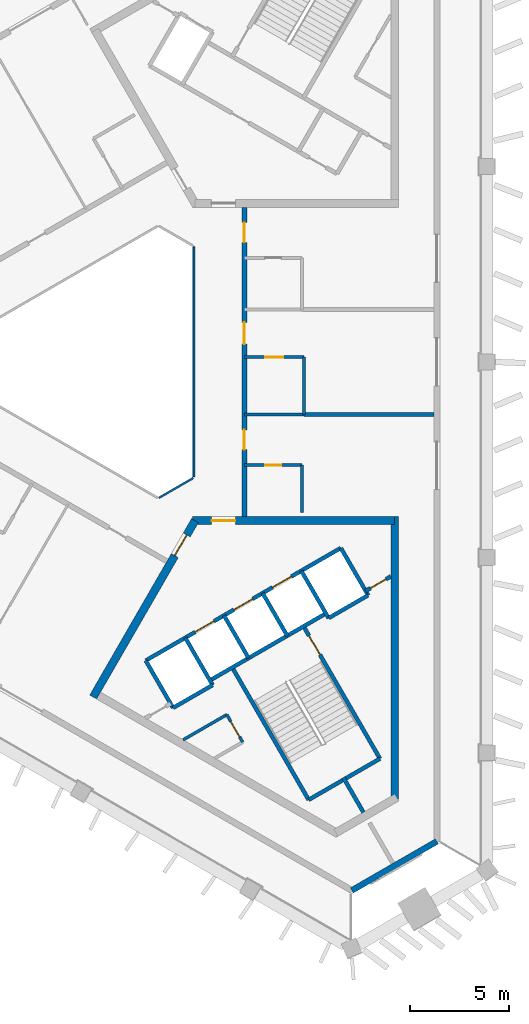
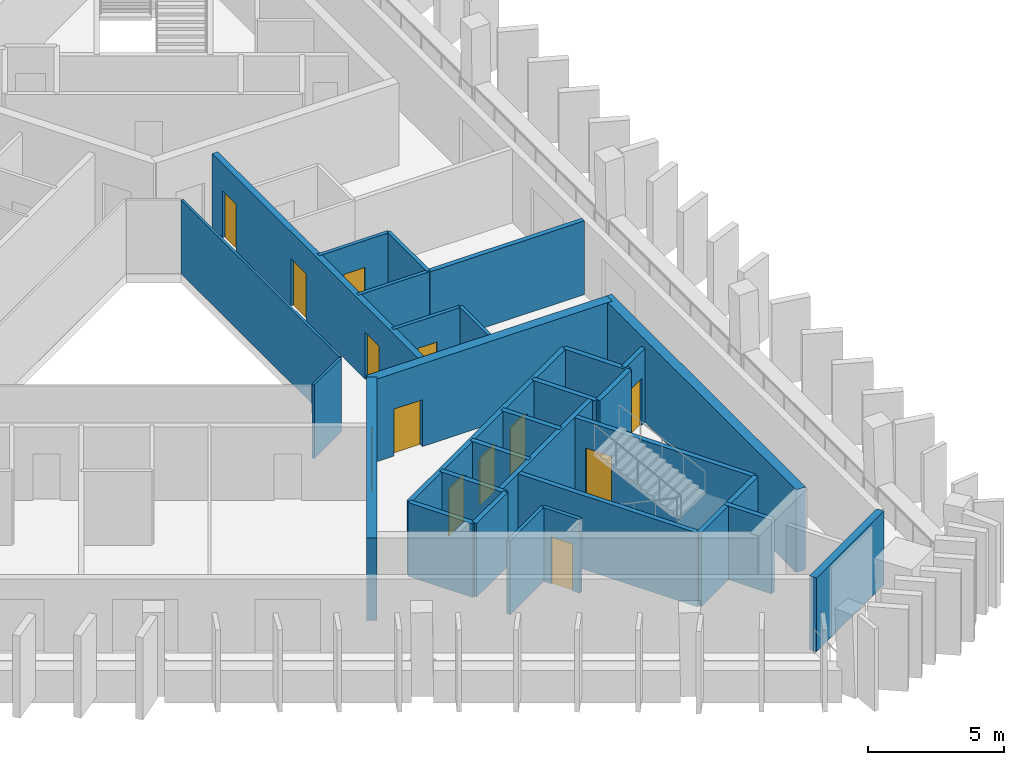
# One storey, part 3 of 9: 30 walls, 13 doors, 13 openings.
"""IFC4 building model written with IfcOpenShell, lengths in metres."""

from ifc_helpers import new_model, si_unit, direction, frame, frame_2d, origin, place, context, subcontext, project, spatial, rectangle, extrude, material, layer, layer_set, type_object, element, fill, save


model = new_model("IFC4")

# Units and contexts
model_context = context("Model", 3, precision=1e-05, world=origin(), true_north=direction((0.0, 1.0)))
body_context = subcontext(model_context, "Body", "Model", "MODEL_VIEW")
ifc_project = project(units=[si_unit("LENGTHUNIT", "METRE"), si_unit("AREAUNIT", "SQUARE_METRE"), si_unit("VOLUMEUNIT", "CUBIC_METRE"), si_unit("PLANEANGLEUNIT", "RADIAN"), si_unit("MASSUNIT", "GRAM", prefix="KILO")], contexts=[model_context])

# Site, building, storey
site_placement = place(None, origin())
site = spatial("IfcSite", under=ifc_project, at=site_placement, CompositionType="ELEMENT")
building_placement = place(site_placement, origin())
building = spatial("IfcBuilding", under=site, at=building_placement, Name="Jabali Bay Hotel Tower and Convention Centre", CompositionType="ELEMENT")
storey_placement = place(building_placement, frame((0.0, 0.0, 262.699951171875)))
storey = spatial("IfcBuildingStorey", under=building, at=storey_placement, Name="L64", CompositionType="ELEMENT", Elevation=262.699951171875)

# Walls
ifc_material_1 = material(Name="Fire-resistant glazing", Category="glass")
ifc_layer_1 = layer(ifc_material_1, 0.10009765625)
ifc_layer_set_1 = layer_set([ifc_layer_1], Name="Fire-resistant glazing")
wall_type_1 = type_object("IfcWallType", Name="Atrium glazed screen 100", PredefinedType="PARTITIONING", material=ifc_layer_set_1)
wall_1_placement = place(storey_placement, frame((79.56005859375, 74.205810546875, 0.0), z_axis=(0.0, 0.0, 1.0), x_axis=(0.0, 1.0, 0.0)))
element("IfcWall", 1, at=wall_1_placement, inside=storey, type_object=wall_type_1, Name="Atrium screen 1 L64", PredefinedType="PARTITIONING", context=body_context, shape_type="SweptSolid", body=[
    extrude(rectangle(XDim=11.58837890625, YDim=0.10009765625, at=frame_2d((5.794189453125, 0.0))), origin(), (0.0, 0.0, 1.0), 3.300048828125),
])
wall_2_placement = place(storey_placement, frame((77.7978515625, 73.15380859375, 0.0), z_axis=(0.0, 0.0, 1.0), x_axis=(0.866041268327, 0.499972520799, 0.0)))
element("IfcWall", 2, at=wall_2_placement, inside=storey, type_object=wall_type_1, Name="Atrium screen 6 L64", PredefinedType="PARTITIONING", context=body_context, shape_type="SweptSolid", body=[
    extrude(rectangle(XDim=2.0, YDim=0.10009765625, at=frame_2d((1.0, 0.0))), origin(), (0.0, 0.0, 1.0), 3.300048828125),
])
ifc_material_2 = material(Name="Concrete C40", Category="concrete")
ifc_layer_2 = layer(ifc_material_2, 0.199951171875)
ifc_layer_set_2 = layer_set([ifc_layer_2], Name="Concrete C40")
wall_type_2 = type_object("IfcWallType", Name="Core partition wall 200", PredefinedType="PARTITIONING", material=ifc_layer_set_2)
wall_3_placement = place(storey_placement, frame((87.090087890625, 59.0595703125, 0.0), z_axis=(0.0, 0.0, 1.0), x_axis=(0.499941815747, -0.866058993873, 0.0)))
element("IfcWall", 3, at=wall_3_placement, inside=storey, type_object=wall_type_2, Name="Core wall 2.5 L64", PredefinedType="PARTITIONING", context=body_context, shape_type="SweptSolid", body=[
    extrude(rectangle(XDim=2.023193359375, YDim=0.199951171875, at=frame_2d((1.01171875, 0.0))), origin(), (0.0, 0.0, 1.0), 3.300048828125),
])

# Wall, opening, door
wall_4_placement = place(storey_placement, frame((88.214599609375, 68.46142578125, 0.0), z_axis=(0.0, 0.0, 1.0), x_axis=(0.865982457891, 0.500074377092, 0.0)))
wall_4 = element("IfcWall", 4, at=wall_4_placement, inside=storey, type_object=wall_type_2, Name="Core wall 2.13 L64", PredefinedType="PARTITIONING", context=body_context, shape_type="SweptSolid", body=[
    extrude(rectangle(XDim=1.461181640625, YDim=0.199951171875, at=frame_2d((0.73046875, 0.0))), origin(), (0.0, 0.0, 1.0), 3.300048828125),
])
opening_1_placement = place(wall_4_placement, frame((0.280517578125, 0.0, 0.0)))
opening_1 = element("IfcOpeningElement", 5, at=opening_1_placement, cuts=wall_4, Name="Opening D1418", PredefinedType="OPENING", context=body_context, shape_type="SweptSolid", body=[
    extrude(rectangle(XDim=0.89990234375, YDim=2.10009765625, at=frame_2d((0.449951171875, 1.050048828125))), frame((0.0, 0.1103515625, 0.0), z_axis=(0.0, -1.0, 0.0), x_axis=(1.0, 0.0, 0.0)), (0.0, 0.0, 1.0), 0.220947265625),
])
ifc_material_3 = material(Name="Fire-rated steel door", Category="steel")
door_type_1 = type_object("IfcDoorType", Name="Vestibule fire door 900 x 2100", OperationType="NOTDEFINED", PredefinedType="NOTDEFINED", material=ifc_material_3)
door_1_placement = place(opening_1_placement, origin())
door_1 = element("IfcDoor", 6, at=door_1_placement, inside=storey, type_object=door_type_1, Name="Vestibule fire door D1418", OperationType="SINGLE_SWING_LEFT", OverallHeight=2.10009765625, OverallWidth=0.89990234375, PredefinedType="NOTDEFINED", context=body_context, shape_type="SweptSolid", body=[
    extrude(rectangle(XDim=0.89990234375, YDim=2.10009765625, at=frame_2d((0.449951171875, 1.050048828125))), frame((0.0, 0.02490234375, 0.0), z_axis=(0.0, -1.0, 0.0), x_axis=(1.0, 0.0, 0.0)), (0.0, 0.0, 1.0), 0.050048828125),
])
fill(opening_1, door_1)

ifc_material_4 = material(Name="Fire-rated board partition")
ifc_layer_3 = layer(ifc_material_4, 0.14990234375)
ifc_layer_set_3 = layer_set([ifc_layer_3], Name="Fire-rated board partition")
wall_type_3 = type_object("IfcWallType", Name="Core room partition 150", PredefinedType="PARTITIONING", material=ifc_layer_set_3)
wall_5_placement = place(storey_placement, frame((81.218994140625, 62.228515625, 0.0), z_axis=(0.0, 0.0, 1.0), x_axis=(0.499880961361, -0.866094119867, 0.0)))
wall_5 = element("IfcWall", 7, at=wall_5_placement, inside=storey, type_object=wall_type_3, Name="Core wall 2.1 L64", PredefinedType="PARTITIONING", context=body_context, shape_type="SweptSolid", body=[
    extrude(rectangle(XDim=1.60009765625, YDim=0.14990234375, at=frame_2d((0.800048828125, 0.0))), origin(), (0.0, 0.0, 1.0), 3.300048828125),
])
opening_2_placement = place(wall_5_placement, frame((0.387451171875, 0.0, 0.0)))
opening_2 = element("IfcOpeningElement", 8, at=opening_2_placement, cuts=wall_5, Name="Opening D1421", PredefinedType="OPENING", context=body_context, shape_type="SweptSolid", body=[
    extrude(rectangle(XDim=0.89990234375, YDim=2.10009765625, at=frame_2d((0.449951171875, 1.050048828125))), frame((0.0, 0.08544921875, 0.0), z_axis=(0.0, -1.0, 0.0), x_axis=(1.0, 0.0, 0.0)), (0.0, 0.0, 1.0), 0.1708984375),
])
door_type_2 = type_object("IfcDoorType", Name="Core room door 900 x 2100", OperationType="NOTDEFINED", PredefinedType="NOTDEFINED", material=ifc_material_3)
door_2_placement = place(opening_2_placement, origin())
door_2 = element("IfcDoor", 9, at=door_2_placement, inside=storey, type_object=door_type_2, Name="Core room door D1421", OperationType="SINGLE_SWING_LEFT", OverallHeight=2.10009765625, OverallWidth=0.89990234375, PredefinedType="NOTDEFINED", context=body_context, shape_type="SweptSolid", body=[
    extrude(rectangle(XDim=0.89990234375, YDim=2.10009765625, at=frame_2d((0.449951171875, 1.050048828125))), frame((0.0, 0.02490234375, 0.0), z_axis=(0.0, -1.0, 0.0), x_axis=(1.0, 0.0, 0.0)), (0.0, 0.0, 1.0), 0.050048828125),
])
fill(opening_2, door_2)

# Walls
wall_6_placement = place(storey_placement, frame((79.02001953125, 60.958984375, 0.0), z_axis=(0.0, 0.0, 1.0), x_axis=(0.866033475577, 0.499986018985, 0.0)))
element("IfcWall", 10, at=wall_6_placement, inside=storey, type_object=wall_type_3, Name="Core wall 2.16 L64", PredefinedType="PARTITIONING", context=body_context, shape_type="SweptSolid", body=[
    extrude(rectangle(XDim=2.5390625, YDim=0.14990234375, at=frame_2d((1.26953125, 0.0))), origin(), (0.0, 0.0, 1.0), 3.300048828125),
])
ifc_layer_4 = layer(ifc_material_2, 0.199951171875)
ifc_layer_set_4 = layer_set([ifc_layer_4], Name="Concrete C40")
wall_type_4 = type_object("IfcWallType", Name="Core stair wall 200", PredefinedType="SOLIDWALL", material=ifc_layer_set_4)
for number, where, z_axis, x_axis, name in (
    (11, (77.13525390625, 64.95166015625, 0.0), (0.0, 0.0, 1.0), (0.499996545922, -0.866027397988, 0.0), "Core wall 2.0 L64"),
    (12, (79.127197265625, 66.1015625, 0.0), (0.0, 0.0, 1.0), (0.499996545922, -0.866027397988, 0.0), "Core wall 2.2 L64"),
):
    element("IfcWall", number, at=place(storey_placement, frame(where, z_axis=z_axis, x_axis=x_axis)), inside=storey, type_object=wall_type_4, Name=name, PredefinedType="SOLIDWALL", context=body_context, shape_type="SweptSolid", body=[
        extrude(rectangle(XDim=2.75, YDim=0.199951171875, at=frame_2d((1.375, 0.0))), origin(), (0.0, 0.0, 1.0), 3.300048828125),
    ])
wall_7_placement = place(storey_placement, frame((81.492919921875, 64.603759765625, 0.0), z_axis=(0.0, 0.0, 1.0), x_axis=(0.500006057782, -0.866021906294, 0.0)))
element("IfcWall", 13, at=wall_7_placement, inside=storey, type_object=wall_type_4, Name="Core wall 2.3 L64", PredefinedType="SOLIDWALL", context=body_context, shape_type="SweptSolid", body=[
    extrude(rectangle(XDim=7.7001953125, YDim=0.199951171875, at=frame_2d((3.85009765625, 0.0))), origin(), (0.0, 0.0, 1.0), 3.300048828125),
])
for number, where, z_axis, x_axis, name in (
    (14, (81.07568359375, 67.2265625, 0.0), (0.0, 0.0, 1.0), (0.50000366821, -0.866023285932, 0.0), "Core wall 2.4 L64"),
    (15, (83.024169921875, 68.3515625, 0.0), (0.0, 0.0, 1.0), (0.50000366821, -0.866023285932, 0.0), "Core wall 2.6 L64"),
):
    element("IfcWall", number, at=place(storey_placement, frame(where, z_axis=z_axis, x_axis=x_axis)), inside=storey, type_object=wall_type_4, Name=name, PredefinedType="SOLIDWALL", context=body_context, shape_type="SweptSolid", body=[
        extrude(rectangle(XDim=2.47998046875, YDim=0.199951171875, at=frame_2d((1.239990234375, 0.0))), origin(), (0.0, 0.0, 1.0), 3.300048828125),
    ])

# Wall, opening, door
wall_8_placement = place(storey_placement, frame((85.0869140625, 66.6787109375, 0.0), z_axis=(0.0, 0.0, 1.0), x_axis=(0.500019787375, -0.866013979237, 0.0)))
wall_8 = element("IfcWall", 16, at=wall_8_placement, inside=storey, type_object=wall_type_4, Name="Core wall 2.7 L64", PredefinedType="SOLIDWALL", context=body_context, shape_type="SweptSolid", body=[
    extrude(rectangle(XDim=7.699951171875, YDim=0.199951171875, at=frame_2d((3.85009765625, 0.0))), origin(), (0.0, 0.0, 1.0), 3.300048828125),
])
opening_3_placement = place(wall_8_placement, frame((0.550048828125, 0.0, 0.0)))
opening_3 = element("IfcOpeningElement", 17, at=opening_3_placement, cuts=wall_8, Name="Opening D1420", PredefinedType="OPENING", context=body_context, shape_type="SweptSolid", body=[
    extrude(rectangle(XDim=1.10009765625, YDim=2.10009765625, at=frame_2d((0.550048828125, 1.050048828125))), frame((0.0, 0.1103515625, 0.0), z_axis=(0.0, -1.0, 0.0), x_axis=(1.0, 0.0, 0.0)), (0.0, 0.0, 1.0), 0.220947265625),
])
door_type_3 = type_object("IfcDoorType", Name="Stair fire door 1100 x 2100", OperationType="NOTDEFINED", PredefinedType="NOTDEFINED", material=ifc_material_3)
door_3_placement = place(opening_3_placement, origin())
door_3 = element("IfcDoor", 18, at=door_3_placement, inside=storey, type_object=door_type_3, Name="Stair fire door D1420", OperationType="SINGLE_SWING_RIGHT", OverallHeight=2.10009765625, OverallWidth=1.10009765625, PredefinedType="NOTDEFINED", context=body_context, shape_type="SweptSolid", body=[
    extrude(rectangle(XDim=1.10009765625, YDim=2.10009765625, at=frame_2d((0.550048828125, 1.050048828125))), frame((0.0, 0.02490234375, 0.0), z_axis=(0.0, -1.0, 0.0), x_axis=(1.0, 0.0, 0.0)), (0.0, 0.0, 1.0), 0.050048828125),
])
fill(opening_3, door_3)

# Walls
for number, where, z_axis, x_axis, name in (
    (19, (84.972900390625, 69.4765625, 0.0), (0.0, 0.0, 1.0), (0.499996545922, -0.866027397988, 0.0), "Core wall 2.8 L64"),
    (20, (86.964599609375, 70.62646484375, 0.0), (0.0, 0.0, 1.0), (0.499996545922, -0.866027397988, 0.0), "Core wall 2.9 L64"),
):
    element("IfcWall", number, at=place(storey_placement, frame(where, z_axis=z_axis, x_axis=x_axis)), inside=storey, type_object=wall_type_4, Name=name, PredefinedType="SOLIDWALL", context=body_context, shape_type="SweptSolid", body=[
        extrude(rectangle(XDim=2.75, YDim=0.199951171875, at=frame_2d((1.375, 0.0))), origin(), (0.0, 0.0, 1.0), 3.300048828125),
    ])

# Wall, openings, doors
wall_9_placement = place(storey_placement, frame((77.13525390625, 64.95166015625, 0.0), z_axis=(0.0, 0.0, 1.0), x_axis=(0.866031916153, 0.499988720078, 0.0)))
wall_9 = element("IfcWall", 21, at=wall_9_placement, inside=storey, type_object=wall_type_4, Name="Core wall 2.10 L64", PredefinedType="SOLIDWALL", context=body_context, shape_type="SweptSolid", body=[
    extrude(rectangle(XDim=11.349853515625, YDim=0.199951171875, at=frame_2d((5.6748046875, 0.0))), origin(), (0.0, 0.0, 1.0), 3.300048828125),
])
opening_4_placement = place(wall_9_placement, frame((2.875, 0.0, 0.0)))
opening_4 = element("IfcOpeningElement", 22, at=opening_4_placement, cuts=wall_9, Name="Opening LD12-L64", PredefinedType="OPENING", context=body_context, shape_type="SweptSolid", body=[
    extrude(rectangle(XDim=1.10009765625, YDim=2.10009765625, at=frame_2d((0.550048828125, 1.050048828125))), frame((0.0, 0.1103515625, 0.0), z_axis=(0.0, -1.0, 0.0), x_axis=(1.0, 0.0, 0.0)), (0.0, 0.0, 1.0), 0.220947265625),
])
opening_5_placement = place(wall_9_placement, frame((5.125, 0.0, 0.0)))
opening_5 = element("IfcOpeningElement", 23, at=opening_5_placement, cuts=wall_9, Name="Opening LD13-L64", PredefinedType="OPENING", context=body_context, shape_type="SweptSolid", body=[
    extrude(rectangle(XDim=1.10009765625, YDim=2.10009765625, at=frame_2d((0.550048828125, 1.050048828125))), frame((0.0, 0.1103515625, 0.0), z_axis=(0.0, -1.0, 0.0), x_axis=(1.0, 0.0, 0.0)), (0.0, 0.0, 1.0), 0.220947265625),
])
opening_6_placement = place(wall_9_placement, frame((7.375, 0.0, 0.0)))
opening_6 = element("IfcOpeningElement", 24, at=opening_6_placement, cuts=wall_9, Name="Opening LD14-L64", PredefinedType="OPENING", context=body_context, shape_type="SweptSolid", body=[
    extrude(rectangle(XDim=1.10009765625, YDim=2.10009765625, at=frame_2d((0.550048828125, 1.050048828125))), frame((0.0, 0.1103515625, 0.0), z_axis=(0.0, -1.0, 0.0), x_axis=(1.0, 0.0, 0.0)), (0.0, 0.0, 1.0), 0.220947265625),
])
ifc_material_5 = material(Name="Stainless steel landing door", Category="steel")
door_type_4 = type_object("IfcDoorType", Name="Landing door 1100 x 2100", OperationType="NOTDEFINED", PredefinedType="NOTDEFINED", material=ifc_material_5)
door_4_placement = place(opening_4_placement, origin())
door_4 = element("IfcDoor", 25, at=door_4_placement, inside=storey, type_object=door_type_4, Name="Landing doors LD12-L64", OperationType="SLIDING_TO_LEFT", OverallHeight=2.10009765625, OverallWidth=1.10009765625, PredefinedType="NOTDEFINED", context=body_context, shape_type="SweptSolid", body=[
    extrude(rectangle(XDim=1.10009765625, YDim=2.10009765625, at=frame_2d((0.550048828125, 1.050048828125))), frame((0.0, 0.02490234375, 0.0), z_axis=(0.0, -1.0, 0.0), x_axis=(1.0, 0.0, 0.0)), (0.0, 0.0, 1.0), 0.050048828125),
])
fill(opening_4, door_4)
door_5_placement = place(opening_5_placement, origin())
door_5 = element("IfcDoor", 26, at=door_5_placement, inside=storey, type_object=door_type_4, Name="Landing doors LD13-L64", OperationType="SLIDING_TO_RIGHT", OverallHeight=2.10009765625, OverallWidth=1.10009765625, PredefinedType="NOTDEFINED", context=body_context, shape_type="SweptSolid", body=[
    extrude(rectangle(XDim=1.10009765625, YDim=2.10009765625, at=frame_2d((0.550048828125, 1.050048828125))), frame((0.0, 0.02490234375, 0.0), z_axis=(0.0, -1.0, 0.0), x_axis=(1.0, 0.0, 0.0)), (0.0, 0.0, 1.0), 0.050048828125),
])
fill(opening_5, door_5)
door_6_placement = place(opening_6_placement, origin())
door_6 = element("IfcDoor", 27, at=door_6_placement, inside=storey, type_object=door_type_4, Name="Landing doors LD14-L64", OperationType="SLIDING_TO_LEFT", OverallHeight=2.10009765625, OverallWidth=1.10009765625, PredefinedType="NOTDEFINED", context=body_context, shape_type="SweptSolid", body=[
    extrude(rectangle(XDim=1.10009765625, YDim=2.10009765625, at=frame_2d((0.550048828125, 1.050048828125))), frame((0.0, 0.02490234375, 0.0), z_axis=(0.0, -1.0, 0.0), x_axis=(1.0, 0.0, 0.0)), (0.0, 0.0, 1.0), 0.050048828125),
])
fill(opening_6, door_6)

# Walls
wall_10_placement = place(storey_placement, frame((80.3671875, 63.953857421875, 0.0), z_axis=(0.0, 0.0, 1.0), x_axis=(0.866026575979, 0.499997969693, 0.0)))
element("IfcWall", 28, at=wall_10_placement, inside=storey, type_object=wall_type_4, Name="Core wall 2.11 L64", PredefinedType="SOLIDWALL", context=body_context, shape_type="SweptSolid", body=[
    extrude(rectangle(XDim=6.75, YDim=0.199951171875, at=frame_2d((3.375, 0.0))), origin(), (0.0, 0.0, 1.0), 3.300048828125),
])
wall_11_placement = place(storey_placement, frame((78.51025390625, 62.570068359375, 0.0), z_axis=(0.0, 0.0, 1.0), x_axis=(0.866053019151, 0.499952165731, 0.0)))
element("IfcWall", 29, at=wall_11_placement, inside=storey, type_object=wall_type_4, Name="Core wall 2.14 L64", PredefinedType="SOLIDWALL", context=body_context, shape_type="SweptSolid", body=[
    extrude(rectangle(XDim=2.300048828125, YDim=0.199951171875, at=frame_2d((1.14990234375, 0.0))), origin(), (0.0, 0.0, 1.0), 3.300048828125),
])
wall_12_placement = place(storey_placement, frame((86.347900390625, 67.094970703125, 0.0), z_axis=(0.0, 0.0, 1.0), x_axis=(0.86602648383, 0.499998129301, 0.0)))
element("IfcWall", 30, at=wall_12_placement, inside=storey, type_object=wall_type_4, Name="Core wall 2.15 L64", PredefinedType="SOLIDWALL", context=body_context, shape_type="SweptSolid", body=[
    extrude(rectangle(XDim=2.2998046875, YDim=0.199951171875, at=frame_2d((1.14990234375, 0.0))), origin(), (0.0, 0.0, 1.0), 3.300048828125),
])
wall_13_placement = place(storey_placement, frame((85.343017578125, 57.935302734375, 0.0), z_axis=(0.0, 0.0, 1.0), x_axis=(0.866004344652, 0.500036473714, 0.0)))
element("IfcWall", 31, at=wall_13_placement, inside=storey, type_object=wall_type_4, Name="Core wall 2.18 L64", PredefinedType="SOLIDWALL", context=body_context, shape_type="SweptSolid", body=[
    extrude(rectangle(XDim=4.150146484375, YDim=0.199951171875, at=frame_2d((2.0751953125, 0.0))), origin(), (0.0, 0.0, 1.0), 3.300048828125),
])

# Wall, opening, door
ifc_material_6 = material(Name="Concrete C60", Category="concrete")
ifc_layer_5 = layer(ifc_material_6, 0.39990234375)
ifc_layer_set_5 = layer_set([ifc_layer_5], Name="Concrete C60")
wall_type_5 = type_object("IfcWallType", Name="Core wall 400", PredefinedType="SHEAR", material=ifc_layer_set_5)
wall_14_placement = place(storey_placement, frame((79.615478515625, 72.005859375, 0.0), z_axis=(0.0, 0.0, 1.0), x_axis=(-0.50000177223, -0.866024380585, 0.0)))
wall_14 = element("IfcWall", 32, at=wall_14_placement, inside=storey, type_object=wall_type_5, Name="Core wall 3.1 L64", PredefinedType="SHEAR", context=body_context, shape_type="SweptSolid", body=[
    extrude(rectangle(XDim=10.2646484375, YDim=0.39990234375, at=frame_2d((5.13232421875, 0.0))), origin(), (0.0, 0.0, 1.0), 3.699951171875),
])
opening_7_placement = place(wall_14_placement, frame((0.83447265625, 0.0, 0.0)))
opening_7 = element("IfcOpeningElement", 33, at=opening_7_placement, cuts=wall_14, Name="Opening D1416", PredefinedType="OPENING", context=body_context, shape_type="SweptSolid", body=[
    extrude(rectangle(XDim=1.199951171875, YDim=2.10009765625, at=frame_2d((0.60009765625, 1.050048828125))), frame((0.0, 0.21044921875, 0.0), z_axis=(0.0, -1.0, 0.0), x_axis=(1.0, 0.0, 0.0)), (0.0, 0.0, 1.0), 0.4208984375),
])
door_type_5 = type_object("IfcDoorType", Name="Corridor end fire door 1200 x 2100", OperationType="NOTDEFINED", PredefinedType="NOTDEFINED", material=ifc_material_3)
door_7_placement = place(opening_7_placement, origin())
door_7 = element("IfcDoor", 34, at=door_7_placement, inside=storey, type_object=door_type_5, Name="Corridor end fire door D1416", OperationType="SINGLE_SWING_RIGHT", OverallHeight=2.10009765625, OverallWidth=1.199951171875, PredefinedType="NOTDEFINED", context=body_context, shape_type="SweptSolid", body=[
    extrude(rectangle(XDim=1.199951171875, YDim=2.10009765625, at=frame_2d((0.60009765625, 1.050048828125))), frame((0.0, 0.02490234375, 0.0), z_axis=(0.0, -1.0, 0.0), x_axis=(1.0, 0.0, 0.0)), (0.0, 0.0, 1.0), 0.050048828125),
])
fill(opening_7, door_7)

# Wall
wall_15_placement = place(storey_placement, frame((89.679931640625, 57.98779296875, 0.0), z_axis=(0.0, 0.0, 1.0), x_axis=(0.0, 1.0, 0.0)))
element("IfcWall", 35, at=wall_15_placement, inside=storey, type_object=wall_type_5, Name="Core wall 3.4 L64", PredefinedType="SHEAR", context=body_context, shape_type="SweptSolid", body=[
    extrude(rectangle(XDim=14.218017578125, YDim=0.39990234375, at=frame_2d((7.10888671875, 0.0))), origin(), (0.0, 0.0, 1.0), 3.699951171875),
])

# Wall, opening, door
wall_16_placement = place(storey_placement, frame((89.679931640625, 72.005859375, 0.0), z_axis=(0.0, 0.0, 1.0), x_axis=(-1.0, 0.0, 0.0)))
wall_16 = element("IfcWall", 36, at=wall_16_placement, inside=storey, type_object=wall_type_5, Name="Core wall 3.5 L64", PredefinedType="SHEAR", context=body_context, shape_type="SweptSolid", body=[
    extrude(rectangle(XDim=10.179931640625, YDim=0.39990234375, at=frame_2d((5.08984375, 0.0))), origin(), (0.0, 0.0, 1.0), 3.699951171875),
])
opening_8_placement = place(wall_16_placement, frame((8.030029296875, 0.0, 0.0)))
opening_8 = element("IfcOpeningElement", 37, at=opening_8_placement, cuts=wall_16, Name="Opening D1417", PredefinedType="OPENING", context=body_context, shape_type="SweptSolid", body=[
    extrude(rectangle(XDim=1.199951171875, YDim=2.10009765625, at=frame_2d((0.60009765625, 1.050048828125))), frame((0.0, 0.21044921875, 0.0), z_axis=(0.0, -1.0, 0.0), x_axis=(1.0, 0.0, 0.0)), (0.0, 0.0, 1.0), 0.4208984375),
])
door_8_placement = place(opening_8_placement, origin())
door_8 = element("IfcDoor", 38, at=door_8_placement, inside=storey, type_object=door_type_5, Name="Corridor end fire door D1417", OperationType="SINGLE_SWING_LEFT", OverallHeight=2.10009765625, OverallWidth=1.199951171875, PredefinedType="NOTDEFINED", context=body_context, shape_type="SweptSolid", body=[
    extrude(rectangle(XDim=1.199951171875, YDim=2.10009765625, at=frame_2d((0.60009765625, 1.050048828125))), frame((0.0, 0.02490234375, 0.0), z_axis=(0.0, -1.0, 0.0), x_axis=(1.0, 0.0, 0.0)), (0.0, 0.0, 1.0), 0.050048828125),
])
fill(opening_8, door_8)

# Wall, openings, doors
ifc_layer_6 = layer(ifc_material_6, 0.25)
ifc_layer_set_6 = layer_set([ifc_layer_6], Name="Concrete C60")
wall_type_6 = type_object("IfcWallType", Name="Corridor wall 250", PredefinedType="SHEAR", material=ifc_layer_set_6)
wall_17_placement = place(storey_placement, frame((82.10009765625, 72.205810546875, 0.0), z_axis=(0.0, 0.0, 1.0), x_axis=(0.0, 1.0, 0.0)))
wall_17 = element("IfcWall", 39, at=wall_17_placement, inside=storey, type_object=wall_type_6, Name="Corridor wall 1 L64", PredefinedType="SHEAR", context=body_context, shape_type="SweptSolid", body=[
    extrude(rectangle(XDim=15.58837890625, YDim=0.25, at=frame_2d((7.794189453125, 0.0))), origin(), (0.0, 0.0, 1.0), 3.300048828125),
])
opening_9_placement = place(wall_17_placement, frame((3.3720703125, 0.0, 0.0)))
opening_9 = element("IfcOpeningElement", 40, at=opening_9_placement, cuts=wall_17, Name="Opening 6402", PredefinedType="OPENING", context=body_context, shape_type="SweptSolid", body=[
    extrude(rectangle(XDim=1.0, YDim=2.10009765625, at=frame_2d((0.5, 1.050048828125))), frame((0.0, 0.135498046875, 0.0), z_axis=(0.0, -1.0, 0.0), x_axis=(1.0, 0.0, 0.0)), (0.0, 0.0, 1.0), 0.27099609375),
])
opening_10_placement = place(wall_17_placement, frame((8.694091796875, 0.0, 0.0)))
opening_10 = element("IfcOpeningElement", 41, at=opening_10_placement, cuts=wall_17, Name="Opening 6404", PredefinedType="OPENING", context=body_context, shape_type="SweptSolid", body=[
    extrude(rectangle(XDim=1.10009765625, YDim=2.10009765625, at=frame_2d((0.550048828125, 1.050048828125))), frame((0.0, 0.135498046875, 0.0), z_axis=(0.0, -1.0, 0.0), x_axis=(1.0, 0.0, 0.0)), (0.0, 0.0, 1.0), 0.27099609375),
])
opening_11_placement = place(wall_17_placement, frame((13.81640625, 0.0, 0.0)))
opening_11 = element("IfcOpeningElement", 42, at=opening_11_placement, cuts=wall_17, Name="Opening 6406", PredefinedType="OPENING", context=body_context, shape_type="SweptSolid", body=[
    extrude(rectangle(XDim=1.0, YDim=2.10009765625, at=frame_2d((0.5, 1.050048828125))), frame((0.0, 0.135498046875, 0.0), z_axis=(0.0, -1.0, 0.0), x_axis=(1.0, 0.0, 0.0)), (0.0, 0.0, 1.0), 0.27099609375),
])
ifc_material_7 = material(Name="Timber", Category="wood")
door_type_6 = type_object("IfcDoorType", Name="Accessible guest room door 1100 x 2100", OperationType="NOTDEFINED", PredefinedType="NOTDEFINED", material=ifc_material_7)
door_9_placement = place(opening_10_placement, origin())
door_9 = element("IfcDoor", 43, at=door_9_placement, inside=storey, type_object=door_type_6, Name="Door 6404", OperationType="SINGLE_SWING_RIGHT", OverallHeight=2.10009765625, OverallWidth=1.10009765625, PredefinedType="NOTDEFINED", context=body_context, shape_type="SweptSolid", body=[
    extrude(rectangle(XDim=1.10009765625, YDim=2.10009765625, at=frame_2d((0.550048828125, 1.050048828125))), frame((0.0, 0.02490234375, 0.0), z_axis=(0.0, -1.0, 0.0), x_axis=(1.0, 0.0, 0.0)), (0.0, 0.0, 1.0), 0.050048828125),
])
fill(opening_10, door_9)
door_type_7 = type_object("IfcDoorType", Name="Guest room door 1000 x 2100", OperationType="NOTDEFINED", PredefinedType="NOTDEFINED", material=ifc_material_7)
door_10_placement = place(opening_9_placement, origin())
door_10 = element("IfcDoor", 44, at=door_10_placement, inside=storey, type_object=door_type_7, Name="Door 6402", OperationType="SINGLE_SWING_LEFT", OverallHeight=2.10009765625, OverallWidth=1.0, PredefinedType="NOTDEFINED", context=body_context, shape_type="SweptSolid", body=[
    extrude(rectangle(XDim=1.0, YDim=2.10009765625, at=frame_2d((0.5, 1.050048828125))), frame((0.0, 0.02490234375, 0.0), z_axis=(0.0, -1.0, 0.0), x_axis=(1.0, 0.0, 0.0)), (0.0, 0.0, 1.0), 0.050048828125),
])
fill(opening_9, door_10)
door_11_placement = place(opening_11_placement, origin())
door_11 = element("IfcDoor", 45, at=door_11_placement, inside=storey, type_object=door_type_7, Name="Door 6406", OperationType="SINGLE_SWING_RIGHT", OverallHeight=2.10009765625, OverallWidth=1.0, PredefinedType="NOTDEFINED", context=body_context, shape_type="SweptSolid", body=[
    extrude(rectangle(XDim=1.0, YDim=2.10009765625, at=frame_2d((0.5, 1.050048828125))), frame((0.0, 0.02490234375, 0.0), z_axis=(0.0, -1.0, 0.0), x_axis=(1.0, 0.0, 0.0)), (0.0, 0.0, 1.0), 0.050048828125),
])
fill(opening_11, door_11)

# Wall
ifc_layer_7 = layer(ifc_material_2, 0.300048828125)
ifc_layer_set_7 = layer_set([ifc_layer_7], Name="Concrete C40")
wall_type_7 = type_object("IfcWallType", Name="External wall 300", PredefinedType="SOLIDWALL", material=ifc_layer_set_7)
wall_18_placement = place(storey_placement, frame((91.802001953125, 55.840576171875, 0.0), z_axis=(0.0, 0.0, 1.0), x_axis=(-0.866039996209, -0.499974724327, 0.0)))
element("IfcWall", 46, at=wall_18_placement, inside=storey, type_object=wall_type_7, Name="External wall south-east chamfer L64", PredefinedType="SOLIDWALL", context=body_context, shape_type="SweptSolid", body=[
    extrude(rectangle(XDim=4.942626953125, YDim=0.300048828125, at=frame_2d((2.47119140625, 0.0))), origin(), (0.0, 0.0, 1.0), 3.300048828125),
])

# Wall, opening, door
ifc_material_8 = material(Name="Plasterboard on steel stud", Category="steel")
ifc_layer_8 = layer(ifc_material_8, 0.14990234375)
ifc_layer_set_8 = layer_set([ifc_layer_8], Name="Plasterboard on steel stud")
wall_type_8 = type_object("IfcWallType", Name="Partition 150 wet", PredefinedType="PARTITIONING", material=ifc_layer_set_8)
wall_19_placement = place(storey_placement, frame((82.10009765625, 74.8056640625, 0.0), z_axis=(0.0, 0.0, 1.0), x_axis=(1.0, 0.0, 0.0)))
wall_19 = element("IfcWall", 47, at=wall_19_placement, inside=storey, type_object=wall_type_8, Name="Partition P03 L64 001", PredefinedType="PARTITIONING", context=body_context, shape_type="SweptSolid", body=[
    extrude(rectangle(XDim=2.89990234375, YDim=0.14990234375, at=frame_2d((1.449951171875, 0.0))), origin(), (0.0, 0.0, 1.0), 3.300048828125),
])
opening_12_placement = place(wall_19_placement, frame((1.050048828125, 0.0, 0.0)))
opening_12 = element("IfcOpeningElement", 48, at=opening_12_placement, cuts=wall_19, Name="Opening 6401", PredefinedType="OPENING", context=body_context, shape_type="SweptSolid", body=[
    extrude(rectangle(XDim=0.800048828125, YDim=2.10009765625, at=frame_2d((0.39990234375, 1.050048828125))), frame((0.0, 0.08544921875, 0.0), z_axis=(0.0, -1.0, 0.0), x_axis=(1.0, 0.0, 0.0)), (0.0, 0.0, 1.0), 0.1708984375),
])
door_type_8 = type_object("IfcDoorType", Name="En-suite door 800 x 2100", OperationType="NOTDEFINED", PredefinedType="NOTDEFINED", material=ifc_material_7)
door_12_placement = place(opening_12_placement, origin())
door_12 = element("IfcDoor", 49, at=door_12_placement, inside=storey, type_object=door_type_8, Name="Door 6401", OperationType="SINGLE_SWING_LEFT", OverallHeight=2.10009765625, OverallWidth=0.800048828125, PredefinedType="NOTDEFINED", context=body_context, shape_type="SweptSolid", body=[
    extrude(rectangle(XDim=0.800048828125, YDim=2.10009765625, at=frame_2d((0.39990234375, 1.050048828125))), frame((0.0, 0.02490234375, 0.0), z_axis=(0.0, -1.0, 0.0), x_axis=(1.0, 0.0, 0.0)), (0.0, 0.0, 1.0), 0.050048828125),
])
fill(opening_12, door_12)

# Walls
wall_20_placement = place(storey_placement, frame((85.0, 74.8056640625, 0.0), z_axis=(0.0, 0.0, 1.0), x_axis=(0.0, -1.0, 0.0)))
element("IfcWall", 50, at=wall_20_placement, inside=storey, type_object=wall_type_8, Name="Partition P03 L64 002", PredefinedType="PARTITIONING", context=body_context, shape_type="SweptSolid", body=[
    extrude(rectangle(XDim=2.40087890625, YDim=0.14990234375, at=frame_2d((1.200439453125, 0.0))), origin(), (0.0, 0.0, 1.0), 3.300048828125),
])
wall_21_placement = place(storey_placement, frame((85.10009765625, 77.349853515625, 0.0), z_axis=(0.0, 0.0, 1.0), x_axis=(-1.0, 0.0, 0.0)))
element("IfcWall", 51, at=wall_21_placement, inside=storey, type_object=wall_type_8, Name="Partition P03 L64 004", PredefinedType="PARTITIONING", context=body_context, shape_type="SweptSolid", body=[
    extrude(rectangle(XDim=3.0, YDim=0.14990234375, at=frame_2d((1.5, 0.0))), origin(), (0.0, 0.0, 1.0), 3.300048828125),
])

# Wall, opening, door
wall_22_placement = place(storey_placement, frame((82.10009765625, 80.25, 0.0), z_axis=(0.0, 0.0, 1.0), x_axis=(1.0, 0.0, 0.0)))
wall_22 = element("IfcWall", 52, at=wall_22_placement, inside=storey, type_object=wall_type_8, Name="Partition P03 L64 006", PredefinedType="PARTITIONING", context=body_context, shape_type="SweptSolid", body=[
    extrude(rectangle(XDim=3.0, YDim=0.14990234375, at=frame_2d((1.5, 0.0))), origin(), (0.0, 0.0, 1.0), 3.300048828125),
])
opening_13_placement = place(wall_22_placement, frame((1.050048828125, 0.0, 0.0)))
opening_13 = element("IfcOpeningElement", 53, at=opening_13_placement, cuts=wall_22, Name="Opening 6403", PredefinedType="OPENING", context=body_context, shape_type="SweptSolid", body=[
    extrude(rectangle(XDim=0.89990234375, YDim=2.10009765625, at=frame_2d((0.449951171875, 1.050048828125))), frame((0.0, 0.08544921875, 0.0), z_axis=(0.0, -1.0, 0.0), x_axis=(1.0, 0.0, 0.0)), (0.0, 0.0, 1.0), 0.1708984375),
])
door_type_9 = type_object("IfcDoorType", Name="Accessible en-suite door 900 x 2100", OperationType="NOTDEFINED", PredefinedType="NOTDEFINED", material=ifc_material_7)
door_13_placement = place(opening_13_placement, origin())
door_13 = element("IfcDoor", 54, at=door_13_placement, inside=storey, type_object=door_type_9, Name="Door 6403", OperationType="SINGLE_SWING_RIGHT", OverallHeight=2.10009765625, OverallWidth=0.89990234375, PredefinedType="NOTDEFINED", context=body_context, shape_type="SweptSolid", body=[
    extrude(rectangle(XDim=0.89990234375, YDim=2.10009765625, at=frame_2d((0.449951171875, 1.050048828125))), frame((0.0, 0.02490234375, 0.0), z_axis=(0.0, -1.0, 0.0), x_axis=(1.0, 0.0, 0.0)), (0.0, 0.0, 1.0), 0.050048828125),
])
fill(opening_13, door_13)

# Walls
wall_23_placement = place(storey_placement, frame((85.10009765625, 80.25, 0.0), z_axis=(0.0, 0.0, 1.0), x_axis=(0.0, -1.0, 0.0)))
element("IfcWall", 55, at=wall_23_placement, inside=storey, type_object=wall_type_8, Name="Partition P03 L64 007", PredefinedType="PARTITIONING", context=body_context, shape_type="SweptSolid", body=[
    extrude(rectangle(XDim=2.900146484375, YDim=0.14990234375, at=frame_2d((1.4501953125, 0.0))), origin(), (0.0, 0.0, 1.0), 3.300048828125),
])
ifc_layer_9 = layer(ifc_material_8, 0.199951171875)
ifc_layer_set_9 = layer_set([ifc_layer_9], Name="Plasterboard on steel stud")
wall_type_9 = type_object("IfcWallType", Name="Partition 200 party", PredefinedType="PARTITIONING", material=ifc_layer_set_9)
wall_24_placement = place(storey_placement, frame((91.653076171875, 77.349853515625, 0.0), z_axis=(0.0, 0.0, 1.0), x_axis=(-1.0, 0.0, 0.0)))
element("IfcWall", 56, at=wall_24_placement, inside=storey, type_object=wall_type_9, Name="Partition P01 L64 003", PredefinedType="PARTITIONING", context=body_context, shape_type="SweptSolid", body=[
    extrude(rectangle(XDim=6.552978515625, YDim=0.199951171875, at=frame_2d((3.2763671875, 0.0))), origin(), (0.0, 0.0, 1.0), 3.300048828125),
])

save(model, "model.ifc")
